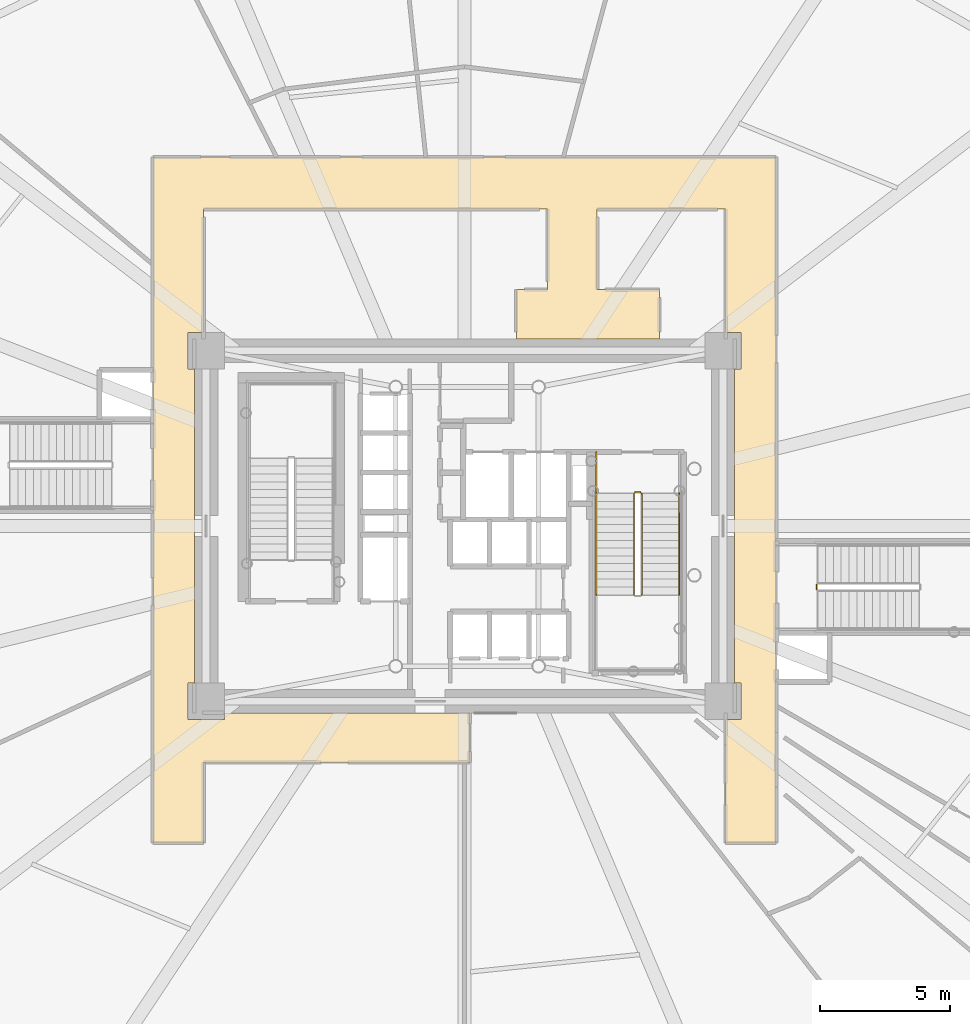
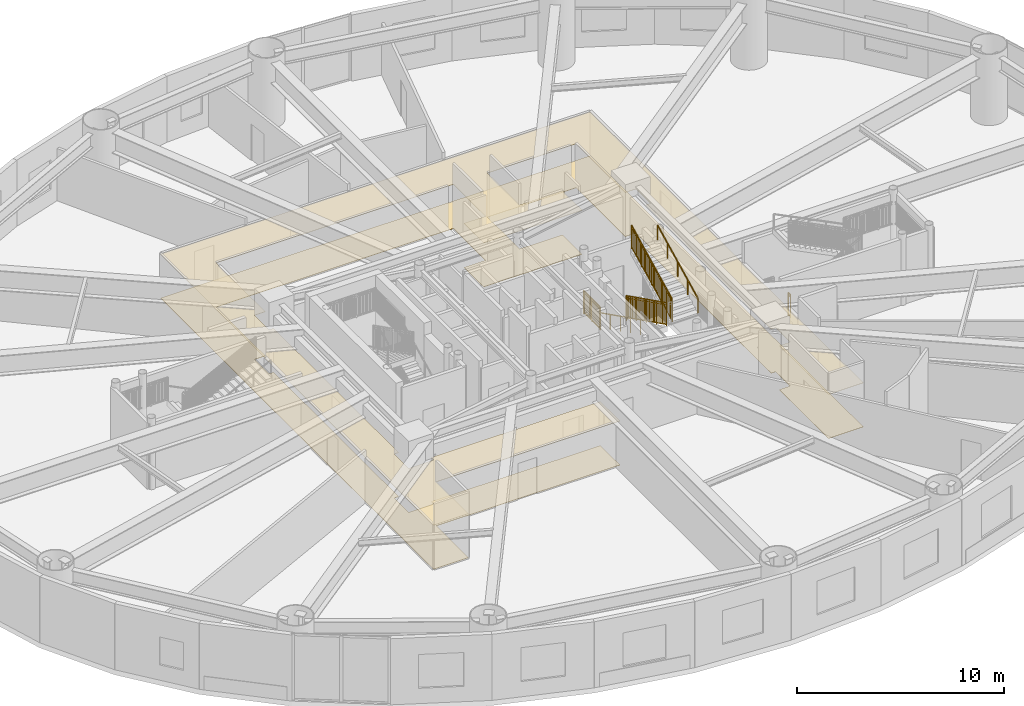
# One storey, part 24 of 27: 7 railings, 2 coverings.
"""IFC4 building model written with IfcOpenShell, lengths in metres."""

from ifc_helpers import new_model, si_unit, direction, frame, origin, origin_2d, place, context, subcontext, project, spatial, polyline, rectangle, outline, extrude, source, transform, mapped, material, layer, layer_set, type_object, element, save


model = new_model("IFC4")

# Units and contexts
model_context = context("Model", 3, precision=1e-05, world=origin(), true_north=direction((0.0, 1.0)))
body_context = subcontext(model_context, "Body", "Model", "MODEL_VIEW")
ifc_project = project(units=[si_unit("LENGTHUNIT", "METRE"), si_unit("AREAUNIT", "SQUARE_METRE"), si_unit("VOLUMEUNIT", "CUBIC_METRE"), si_unit("PLANEANGLEUNIT", "RADIAN"), si_unit("MASSUNIT", "GRAM", prefix="KILO")], contexts=[model_context])

# Site, building, storey
site_placement = place(None, origin())
site = spatial("IfcSite", under=ifc_project, at=site_placement, CompositionType="ELEMENT")
building_placement = place(site_placement, origin())
building = spatial("IfcBuilding", under=site, at=building_placement, Name="Linh Dai School and Residence Tower", CompositionType="ELEMENT")
storey_placement = place(building_placement, frame((0.0, 0.0, 22.800048828125)))
storey = spatial("IfcBuildingStorey", under=building, at=storey_placement, Name="L05", CompositionType="ELEMENT", Elevation=22.800048828125)

# Coverings
ifc_material_1 = material(Name="Mineral Fibre Acoustic Suspended Ceiling", Category="masonry")
ifc_layer_1 = layer(ifc_material_1, 0.02001953125)
ifc_layer_set_1 = layer_set([ifc_layer_1], Name="Mineral Fibre Acoustic Suspended Ceiling")
covering_type_1 = type_object("IfcCoveringType", Name="COV-CEIL-AC-20", PredefinedType="CEILING", material=ifc_layer_set_1)
covering_1_placement = place(storey_placement, frame((0.0, 0.0, 2.599853515625)))
element("IfcCovering", 1, at=covering_1_placement, inside=storey, type_object=covering_type_1, Name="L05 School Circulation Ring Corridor Suspended Ceiling", PredefinedType="CEILING", context=body_context, shape_type="SweptSolid", body=[
    extrude(outline(polyline([(24.0, 41.199951171875), (48.0, 41.199951171875), (48.0, 14.800048828125), (46.050048828125, 14.800048828125), (46.050048828125, 19.550048828125), (46.64990234375, 19.550048828125), (46.64990234375, 20.949951171875), (46.39990234375, 20.949951171875), (46.39990234375, 33.050048828125), (46.64990234375, 33.050048828125), (46.64990234375, 34.449951171875), (46.050048828125, 34.449951171875), (46.050048828125, 39.199951171875), (41.10009765625, 39.199951171875), (41.10009765625, 36.10009765625), (43.5, 36.10009765625), (43.5, 34.199951171875), (38.0, 34.199951171875), (38.0, 36.10009765625), (39.199951171875, 36.10009765625), (39.199951171875, 39.199951171875), (25.949951171875, 39.199951171875), (25.949951171875, 34.449951171875), (25.35009765625, 34.449951171875), (25.35009765625, 33.050048828125), (25.60009765625, 33.050048828125), (25.60009765625, 20.949951171875), (25.35009765625, 20.949951171875), (25.35009765625, 19.550048828125), (26.75, 19.550048828125), (26.75, 19.800048828125), (36.199951171875, 19.800048828125), (36.199951171875, 17.89990234375), (25.949951171875, 17.89990234375), (25.949951171875, 14.800048828125), (24.0, 14.800048828125), (24.0, 41.199951171875)])), origin(), (0.0, 0.0, 1.0), 0.02001953125),
])
ifc_material_2 = material(Name="Polished Terrazzo Floor Finish", Category="masonry")
ifc_layer_2 = layer(ifc_material_2, 0.02490234375)
ifc_layer_set_2 = layer_set([ifc_layer_2], Name="Polished Terrazzo Floor Finish")
covering_type_2 = type_object("IfcCoveringType", Name="COV-FLR-TRZ-25", PredefinedType="FLOORING", material=ifc_layer_set_2)
covering_2_placement = place(storey_placement, origin())
element("IfcCovering", 2, at=covering_2_placement, inside=storey, type_object=covering_type_2, Name="L05 School Circulation Ring Corridor Floor Finish", PredefinedType="FLOORING", context=body_context, shape_type="SweptSolid", body=[
    extrude(outline(polyline([(24.0, 41.199951171875), (48.0, 41.199951171875), (48.0, 14.800048828125), (46.050048828125, 14.800048828125), (46.050048828125, 19.550048828125), (46.64990234375, 19.550048828125), (46.64990234375, 20.949951171875), (46.39990234375, 20.949951171875), (46.39990234375, 33.050048828125), (46.64990234375, 33.050048828125), (46.64990234375, 34.449951171875), (46.050048828125, 34.449951171875), (46.050048828125, 39.199951171875), (41.10009765625, 39.199951171875), (41.10009765625, 36.10009765625), (43.5, 36.10009765625), (43.5, 34.199951171875), (38.0, 34.199951171875), (38.0, 36.10009765625), (39.199951171875, 36.10009765625), (39.199951171875, 39.199951171875), (25.949951171875, 39.199951171875), (25.949951171875, 34.449951171875), (25.35009765625, 34.449951171875), (25.35009765625, 33.050048828125), (25.60009765625, 33.050048828125), (25.60009765625, 20.949951171875), (25.35009765625, 20.949951171875), (25.35009765625, 19.550048828125), (26.75, 19.550048828125), (26.75, 19.800048828125), (36.199951171875, 19.800048828125), (36.199951171875, 17.89990234375), (25.949951171875, 17.89990234375), (25.949951171875, 14.800048828125), (24.0, 14.800048828125), (24.0, 41.199951171875)])), origin(), (0.0, 0.0, 1.0), 0.02001953125),
])

# Railings
ifc_material_3 = material(Name="Structural Steel S355JR", Category="steel")
railing_type_1 = type_object("IfcRailingType", Name="RL-ST-GUARD-1400", PredefinedType="GUARDRAIL", material=ifc_material_3)
shared_shape_1 = source(origin(), body_context, "Body", "SweptSolid", [
    extrude(rectangle(XDim=0.048095703125, YDim=0.048095703125, at=origin_2d()), frame((0.0, 0.0, 1.3759765625), z_axis=(1.0, 0.0, 0.0), x_axis=(0.0, 1.0, 0.0)), (0.0, 0.0, 1.0), 0.199951171875),
    extrude(rectangle(XDim=0.048095703125, YDim=0.048095703125, at=origin_2d()), frame((0.0, 0.0, 0.10009765625), z_axis=(1.0, 0.0, 0.0), x_axis=(0.0, 1.0, 0.0)), (0.0, 0.0, 1.0), 0.199951171875),
    extrude(rectangle(XDim=0.030029296875, YDim=0.030029296875, at=origin_2d()), frame((0.0, 0.0, 1.239990234375), z_axis=(1.0, 0.0, 0.0), x_axis=(0.0, 1.0, 0.0)), (0.0, 0.0, 1.0), 0.199951171875),
    extrude(rectangle(XDim=0.0419921875, YDim=0.0419921875, at=origin_2d()), origin(), (0.0, 0.0, 1.0), 1.3759765625),
    extrude(rectangle(XDim=0.0419921875, YDim=0.0419921875, at=origin_2d()), frame((0.199951171875, 0.0, 0.0)), (0.0, 0.0, 1.0), 1.3759765625),
])
railing_1_placement = place(storey_placement, frame((42.570068359375, 28.300048828125, 0.0)))
element("IfcRailing", 3, at=railing_1_placement, inside=storey, type_object=railing_type_1, Name="L05 ST2 stair guard 7", PredefinedType="GUARDRAIL", context=body_context, shape_type="MappedRepresentation", body=[
    mapped(shared_shape_1, transform((0.0, 0.0, 0.0), x_axis=(1.0, 0.0, 0.0), y_axis=(0.0, 1.0, 0.0), z_axis=(0.0, 0.0, 1.0), scale=1.0)),
])
shared_shape_2 = source(origin(), body_context, "Body", "SweptSolid", [
    extrude(rectangle(XDim=0.048095703125, YDim=0.048095703125, at=origin_2d()), frame((0.0, 0.0, 1.3759765625), z_axis=(0.0, -1.0, 0.0), x_axis=(1.0, 0.0, 0.0)), (0.0, 0.0, 1.0), 1.60009765625),
    extrude(rectangle(XDim=0.048095703125, YDim=0.048095703125, at=origin_2d()), frame((0.0, 0.0, 0.10009765625), z_axis=(0.0, -1.0, 0.0), x_axis=(1.0, 0.0, 0.0)), (0.0, 0.0, 1.0), 1.60009765625),
    extrude(rectangle(XDim=0.030029296875, YDim=0.030029296875, at=origin_2d()), frame((0.0, 0.0, 1.239990234375), z_axis=(0.0, -1.0, 0.0), x_axis=(1.0, 0.0, 0.0)), (0.0, 0.0, 1.0), 1.60009765625),
    extrude(rectangle(XDim=0.02001953125, YDim=0.02001953125, at=origin_2d()), frame((0.0, -0.09423828125, 0.10009765625)), (0.0, 0.0, 1.0), 1.251708984375),
    extrude(rectangle(XDim=0.02001953125, YDim=0.02001953125, at=origin_2d()), frame((0.0, -0.188232421875, 0.10009765625)), (0.0, 0.0, 1.0), 1.251708984375),
    extrude(rectangle(XDim=0.02001953125, YDim=0.02001953125, at=origin_2d()), frame((0.0, -0.282470703125, 0.10009765625)), (0.0, 0.0, 1.0), 1.251708984375),
    extrude(rectangle(XDim=0.02001953125, YDim=0.02001953125, at=origin_2d()), frame((0.0, -0.37646484375, 0.10009765625)), (0.0, 0.0, 1.0), 1.251708984375),
    extrude(rectangle(XDim=0.02001953125, YDim=0.02001953125, at=origin_2d()), frame((0.0, -0.470703125, 0.10009765625)), (0.0, 0.0, 1.0), 1.251708984375),
    extrude(rectangle(XDim=0.02001953125, YDim=0.02001953125, at=origin_2d()), frame((0.0, -0.564697265625, 0.10009765625)), (0.0, 0.0, 1.0), 1.251708984375),
    extrude(rectangle(XDim=0.02001953125, YDim=0.02001953125, at=origin_2d()), frame((0.0, -0.658935546875, 0.10009765625)), (0.0, 0.0, 1.0), 1.251708984375),
    extrude(rectangle(XDim=0.02001953125, YDim=0.02001953125, at=origin_2d()), frame((0.0, -0.7529296875, 0.10009765625)), (0.0, 0.0, 1.0), 1.251708984375),
    extrude(rectangle(XDim=0.02001953125, YDim=0.02001953125, at=origin_2d()), frame((0.0, -0.84716796875, 0.10009765625)), (0.0, 0.0, 1.0), 1.251708984375),
    extrude(rectangle(XDim=0.02001953125, YDim=0.02001953125, at=origin_2d()), frame((0.0, -0.941162109375, 0.10009765625)), (0.0, 0.0, 1.0), 1.251708984375),
    extrude(rectangle(XDim=0.02001953125, YDim=0.02001953125, at=origin_2d()), frame((0.0, -1.035400390625, 0.10009765625)), (0.0, 0.0, 1.0), 1.251708984375),
    extrude(rectangle(XDim=0.02001953125, YDim=0.02001953125, at=origin_2d()), frame((0.0, -1.12939453125, 0.10009765625)), (0.0, 0.0, 1.0), 1.251708984375),
    extrude(rectangle(XDim=0.02001953125, YDim=0.02001953125, at=origin_2d()), frame((0.0, -1.2236328125, 0.10009765625)), (0.0, 0.0, 1.0), 1.251708984375),
    extrude(rectangle(XDim=0.02001953125, YDim=0.02001953125, at=origin_2d()), frame((0.0, -1.317626953125, 0.10009765625)), (0.0, 0.0, 1.0), 1.251708984375),
    extrude(rectangle(XDim=0.02001953125, YDim=0.02001953125, at=origin_2d()), frame((0.0, -1.411865234375, 0.10009765625)), (0.0, 0.0, 1.0), 1.251708984375),
    extrude(rectangle(XDim=0.02001953125, YDim=0.02001953125, at=origin_2d()), frame((0.0, -1.505859375, 0.10009765625)), (0.0, 0.0, 1.0), 1.251708984375),
    extrude(rectangle(XDim=0.0419921875, YDim=0.0419921875, at=origin_2d()), origin(), (0.0, 0.0, 1.0), 1.3759765625),
    extrude(rectangle(XDim=0.0419921875, YDim=0.0419921875, at=origin_2d()), frame((0.0, -0.800048828125, 0.0)), (0.0, 0.0, 1.0), 1.3759765625),
    extrude(rectangle(XDim=0.0419921875, YDim=0.0419921875, at=origin_2d()), frame((0.0, -1.60009765625, 0.0)), (0.0, 0.0, 1.0), 1.3759765625),
])
railing_2_placement = place(storey_placement, frame((41.070068359375, 29.85009765625, 0.0)))
element("IfcRailing", 4, at=railing_2_placement, inside=storey, type_object=railing_type_1, Name="L05 ST2 stair guard 8", PredefinedType="GUARDRAIL", context=body_context, shape_type="MappedRepresentation", body=[
    mapped(shared_shape_2, transform((0.0, 0.0, 0.0), x_axis=(1.0, 0.0, 0.0), y_axis=(0.0, 1.0, 0.0), z_axis=(0.0, 0.0, 1.0), scale=1.0)),
])
shared_shape_3 = source(origin(), body_context, "Body", "SweptSolid", [
    extrude(rectangle(XDim=0.048095703125, YDim=0.048095703125, at=origin_2d()), frame((0.0, 0.0, 1.3759765625), z_axis=(0.0, 0.894427191, 0.4472135955), x_axis=(-1.0, 0.0, 0.0)), (0.0, 0.0, 1.0), 4.360107421875),
    extrude(rectangle(XDim=0.048095703125, YDim=0.048095703125, at=origin_2d()), frame((0.0, 0.0, 0.10009765625), z_axis=(0.0, 0.894427191, 0.4472135955), x_axis=(-1.0, 0.0, 0.0)), (0.0, 0.0, 1.0), 4.360107421875),
    extrude(rectangle(XDim=0.030029296875, YDim=0.030029296875, at=origin_2d()), frame((0.0, 0.0, 1.239990234375), z_axis=(0.0, 0.894427191, 0.4472135955), x_axis=(-1.0, 0.0, 0.0)), (0.0, 0.0, 1.0), 4.360107421875),
    extrude(rectangle(XDim=0.02001953125, YDim=0.02001953125, at=origin_2d()), frame((0.0, 0.086669921875, 0.143310546875)), (0.0, 0.0, 1.0), 1.251708984375),
    extrude(rectangle(XDim=0.02001953125, YDim=0.02001953125, at=origin_2d()), frame((0.0, 0.17333984375, 0.186767578125)), (0.0, 0.0, 1.0), 1.251708984375),
    extrude(rectangle(XDim=0.02001953125, YDim=0.02001953125, at=origin_2d()), frame((0.0, 0.260009765625, 0.22998046875)), (0.0, 0.0, 1.0), 1.251708984375),
    extrude(rectangle(XDim=0.02001953125, YDim=0.02001953125, at=origin_2d()), frame((0.0, 0.3466796875, 0.2734375)), (0.0, 0.0, 1.0), 1.251708984375),
    extrude(rectangle(XDim=0.02001953125, YDim=0.02001953125, at=origin_2d()), frame((0.0, 0.433349609375, 0.316650390625)), (0.0, 0.0, 1.0), 1.251708984375),
    extrude(rectangle(XDim=0.02001953125, YDim=0.02001953125, at=origin_2d()), frame((0.0, 0.52001953125, 0.360107421875)), (0.0, 0.0, 1.0), 1.251708984375),
    extrude(rectangle(XDim=0.02001953125, YDim=0.02001953125, at=origin_2d()), frame((0.0, 0.606689453125, 0.4033203125)), (0.0, 0.0, 1.0), 1.251708984375),
    extrude(rectangle(XDim=0.02001953125, YDim=0.02001953125, at=origin_2d()), frame((0.0, 0.693359375, 0.44677734375)), (0.0, 0.0, 1.0), 1.251708984375),
    extrude(rectangle(XDim=0.02001953125, YDim=0.02001953125, at=origin_2d()), frame((0.0, 0.780029296875, 0.489990234375)), (0.0, 0.0, 1.0), 1.251708984375),
    extrude(rectangle(XDim=0.02001953125, YDim=0.02001953125, at=origin_2d()), frame((0.0, 0.86669921875, 0.533447265625)), (0.0, 0.0, 1.0), 1.251708984375),
    extrude(rectangle(XDim=0.02001953125, YDim=0.02001953125, at=origin_2d()), frame((0.0, 1.0400390625, 0.6201171875)), (0.0, 0.0, 1.0), 1.251708984375),
    extrude(rectangle(XDim=0.02001953125, YDim=0.02001953125, at=origin_2d()), frame((0.0, 1.126708984375, 0.663330078125)), (0.0, 0.0, 1.0), 1.251708984375),
    extrude(rectangle(XDim=0.02001953125, YDim=0.02001953125, at=origin_2d()), frame((0.0, 1.21337890625, 0.706787109375)), (0.0, 0.0, 1.0), 1.251708984375),
    extrude(rectangle(XDim=0.02001953125, YDim=0.02001953125, at=origin_2d()), frame((0.0, 1.300048828125, 0.75)), (0.0, 0.0, 1.0), 1.251708984375),
    extrude(rectangle(XDim=0.02001953125, YDim=0.02001953125, at=origin_2d()), frame((0.0, 1.38671875, 0.79345703125)), (0.0, 0.0, 1.0), 1.251708984375),
    extrude(rectangle(XDim=0.02001953125, YDim=0.02001953125, at=origin_2d()), frame((0.0, 1.473388671875, 0.836669921875)), (0.0, 0.0, 1.0), 1.251708984375),
    extrude(rectangle(XDim=0.02001953125, YDim=0.02001953125, at=origin_2d()), frame((0.0, 1.56005859375, 0.880126953125)), (0.0, 0.0, 1.0), 1.251708984375),
    extrude(rectangle(XDim=0.02001953125, YDim=0.02001953125, at=origin_2d()), frame((0.0, 1.646728515625, 0.92333984375)), (0.0, 0.0, 1.0), 1.251708984375),
    extrude(rectangle(XDim=0.02001953125, YDim=0.02001953125, at=origin_2d()), frame((0.0, 1.7333984375, 0.966796875)), (0.0, 0.0, 1.0), 1.251708984375),
    extrude(rectangle(XDim=0.02001953125, YDim=0.02001953125, at=origin_2d()), frame((0.0, 1.820068359375, 1.010009765625)), (0.0, 0.0, 1.0), 1.251708984375),
    extrude(rectangle(XDim=0.02001953125, YDim=0.02001953125, at=origin_2d()), frame((0.0, 1.90673828125, 1.053466796875)), (0.0, 0.0, 1.0), 1.251708984375),
    extrude(rectangle(XDim=0.02001953125, YDim=0.02001953125, at=origin_2d()), frame((0.0, 1.9931640625, 1.0966796875)), (0.0, 0.0, 1.0), 1.251708984375),
    extrude(rectangle(XDim=0.02001953125, YDim=0.02001953125, at=origin_2d()), frame((0.0, 2.079833984375, 1.14013671875)), (0.0, 0.0, 1.0), 1.251708984375),
    extrude(rectangle(XDim=0.02001953125, YDim=0.02001953125, at=origin_2d()), frame((0.0, 2.16650390625, 1.183349609375)), (0.0, 0.0, 1.0), 1.251708984375),
    extrude(rectangle(XDim=0.02001953125, YDim=0.02001953125, at=origin_2d()), frame((0.0, 2.253173828125, 1.226806640625)), (0.0, 0.0, 1.0), 1.251708984375),
    extrude(rectangle(XDim=0.02001953125, YDim=0.02001953125, at=origin_2d()), frame((0.0, 2.33984375, 1.27001953125)), (0.0, 0.0, 1.0), 1.251708984375),
    extrude(rectangle(XDim=0.02001953125, YDim=0.02001953125, at=origin_2d()), frame((0.0, 2.426513671875, 1.3134765625)), (0.0, 0.0, 1.0), 1.251708984375),
    extrude(rectangle(XDim=0.02001953125, YDim=0.02001953125, at=origin_2d()), frame((0.0, 2.51318359375, 1.356689453125)), (0.0, 0.0, 1.0), 1.251708984375),
    extrude(rectangle(XDim=0.02001953125, YDim=0.02001953125, at=origin_2d()), frame((0.0, 2.599853515625, 1.400146484375)), (0.0, 0.0, 1.0), 1.251708984375),
    extrude(rectangle(XDim=0.02001953125, YDim=0.02001953125, at=origin_2d()), frame((0.0, 2.6865234375, 1.443359375)), (0.0, 0.0, 1.0), 1.251708984375),
    extrude(rectangle(XDim=0.02001953125, YDim=0.02001953125, at=origin_2d()), frame((0.0, 2.773193359375, 1.48681640625)), (0.0, 0.0, 1.0), 1.251708984375),
    extrude(rectangle(XDim=0.02001953125, YDim=0.02001953125, at=origin_2d()), frame((0.0, 2.85986328125, 1.530029296875)), (0.0, 0.0, 1.0), 1.251708984375),
    extrude(rectangle(XDim=0.02001953125, YDim=0.02001953125, at=origin_2d()), frame((0.0, 3.033203125, 1.61669921875)), (0.0, 0.0, 1.0), 1.251708984375),
    extrude(rectangle(XDim=0.02001953125, YDim=0.02001953125, at=origin_2d()), frame((0.0, 3.119873046875, 1.66015625)), (0.0, 0.0, 1.0), 1.251708984375),
    extrude(rectangle(XDim=0.02001953125, YDim=0.02001953125, at=origin_2d()), frame((0.0, 3.20654296875, 1.703369140625)), (0.0, 0.0, 1.0), 1.251708984375),
    extrude(rectangle(XDim=0.02001953125, YDim=0.02001953125, at=origin_2d()), frame((0.0, 3.293212890625, 1.746826171875)), (0.0, 0.0, 1.0), 1.251708984375),
    extrude(rectangle(XDim=0.02001953125, YDim=0.02001953125, at=origin_2d()), frame((0.0, 3.3798828125, 1.7900390625)), (0.0, 0.0, 1.0), 1.251708984375),
    extrude(rectangle(XDim=0.02001953125, YDim=0.02001953125, at=origin_2d()), frame((0.0, 3.466552734375, 1.83349609375)), (0.0, 0.0, 1.0), 1.251708984375),
    extrude(rectangle(XDim=0.02001953125, YDim=0.02001953125, at=origin_2d()), frame((0.0, 3.55322265625, 1.876708984375)), (0.0, 0.0, 1.0), 1.251708984375),
    extrude(rectangle(XDim=0.02001953125, YDim=0.02001953125, at=origin_2d()), frame((0.0, 3.639892578125, 1.920166015625)), (0.0, 0.0, 1.0), 1.251708984375),
    extrude(rectangle(XDim=0.02001953125, YDim=0.02001953125, at=origin_2d()), frame((0.0, 3.7265625, 1.96337890625)), (0.0, 0.0, 1.0), 1.251708984375),
    extrude(rectangle(XDim=0.02001953125, YDim=0.02001953125, at=origin_2d()), frame((0.0, 3.813232421875, 2.0068359375)), (0.0, 0.0, 1.0), 1.251708984375),
    extrude(rectangle(XDim=0.0419921875, YDim=0.0419921875, at=origin_2d()), origin(), (0.0, 0.0, 1.0), 1.3759765625),
    extrude(rectangle(XDim=0.0419921875, YDim=0.0419921875, at=origin_2d()), frame((0.0, 0.97509765625, 0.487548828125)), (0.0, 0.0, 1.0), 1.3759765625),
    extrude(rectangle(XDim=0.0419921875, YDim=0.0419921875, at=origin_2d()), frame((0.0, 1.949951171875, 0.97509765625)), (0.0, 0.0, 1.0), 1.3759765625),
    extrude(rectangle(XDim=0.0419921875, YDim=0.0419921875, at=origin_2d()), frame((0.0, 2.9248046875, 1.46240234375)), (0.0, 0.0, 1.0), 1.3759765625),
    extrude(rectangle(XDim=0.0419921875, YDim=0.0419921875, at=origin_2d()), frame((0.0, 3.89990234375, 1.949951171875)), (0.0, 0.0, 1.0), 1.3759765625),
])
railing_3_placement = place(storey_placement, frame((42.820068359375, 24.35009765625, 2.25)))
element("IfcRailing", 5, at=railing_3_placement, inside=storey, type_object=railing_type_1, Name="L05 ST2 stair guard 6", PredefinedType="GUARDRAIL", context=body_context, shape_type="MappedRepresentation", body=[
    mapped(shared_shape_3, transform((0.0, 0.0, 0.0), x_axis=(1.0, 0.0, 0.0), y_axis=(0.0, 1.0, 0.0), z_axis=(0.0, 0.0, 1.0), scale=1.0)),
])
ifc_material_4 = material(Name="Brushed Stainless Steel Handrail", Category="steel")
railing_type_2 = type_object("IfcRailingType", Name="RL-ST-HANDRAIL-900", PredefinedType="HANDRAIL", material=ifc_material_4)
shared_shape_4 = source(origin(), body_context, "Body", "SweptSolid", [
    extrude(rectangle(XDim=0.048095703125, YDim=0.048095703125, at=origin_2d()), frame((0.0, 0.0, 0.8759765625), z_axis=(0.0, 0.894427191, 0.4472135955), x_axis=(-1.0, 0.0, 0.0)), (0.0, 0.0, 1.0), 4.360107421875),
    extrude(rectangle(XDim=0.0419921875, YDim=0.0419921875, at=origin_2d()), origin(), (0.0, 0.0, 1.0), 0.8759765625),
    extrude(rectangle(XDim=0.0419921875, YDim=0.0419921875, at=origin_2d()), frame((0.0, 0.97509765625, 0.487548828125)), (0.0, 0.0, 1.0), 0.8759765625),
    extrude(rectangle(XDim=0.0419921875, YDim=0.0419921875, at=origin_2d()), frame((0.0, 1.949951171875, 0.97509765625)), (0.0, 0.0, 1.0), 0.8759765625),
    extrude(rectangle(XDim=0.0419921875, YDim=0.0419921875, at=origin_2d()), frame((0.0, 2.9248046875, 1.46240234375)), (0.0, 0.0, 1.0), 0.8759765625),
    extrude(rectangle(XDim=0.0419921875, YDim=0.0419921875, at=origin_2d()), frame((0.0, 3.89990234375, 1.949951171875)), (0.0, 0.0, 1.0), 0.8759765625),
])
railing_4_placement = place(storey_placement, frame((44.27001953125, 24.35009765625, 2.25)))
element("IfcRailing", 6, at=railing_4_placement, inside=storey, type_object=railing_type_2, Name="L05 ST2 stair handrail 2", PredefinedType="HANDRAIL", context=body_context, shape_type="MappedRepresentation", body=[
    mapped(shared_shape_4, transform((0.0, 0.0, 0.0), x_axis=(1.0, 0.0, 0.0), y_axis=(0.0, 1.0, 0.0), z_axis=(0.0, 0.0, 1.0), scale=1.0)),
])
shared_shape_5 = source(origin(), body_context, "Body", "SweptSolid", [
    extrude(rectangle(XDim=0.048095703125, YDim=0.048095703125, at=origin_2d()), frame((0.0, 0.0, 1.3759765625), z_axis=(0.0, -0.894427191, 0.4472135955), x_axis=(1.0, 0.0, 0.0)), (0.0, 0.0, 1.0), 4.360107421875),
    extrude(rectangle(XDim=0.048095703125, YDim=0.048095703125, at=origin_2d()), frame((0.0, 0.0, 0.10009765625), z_axis=(0.0, -0.894427191, 0.4472135955), x_axis=(1.0, 0.0, 0.0)), (0.0, 0.0, 1.0), 4.360107421875),
    extrude(rectangle(XDim=0.030029296875, YDim=0.030029296875, at=origin_2d()), frame((0.0, 0.0, 1.239990234375), z_axis=(0.0, -0.894427191, 0.4472135955), x_axis=(1.0, 0.0, 0.0)), (0.0, 0.0, 1.0), 4.360107421875),
    extrude(rectangle(XDim=0.02001953125, YDim=0.02001953125, at=origin_2d()), frame((0.0, -0.086669921875, 0.143310546875)), (0.0, 0.0, 1.0), 1.251708984375),
    extrude(rectangle(XDim=0.02001953125, YDim=0.02001953125, at=origin_2d()), frame((0.0, -0.17333984375, 0.186767578125)), (0.0, 0.0, 1.0), 1.251708984375),
    extrude(rectangle(XDim=0.02001953125, YDim=0.02001953125, at=origin_2d()), frame((0.0, -0.260009765625, 0.22998046875)), (0.0, 0.0, 1.0), 1.251708984375),
    extrude(rectangle(XDim=0.02001953125, YDim=0.02001953125, at=origin_2d()), frame((0.0, -0.3466796875, 0.2734375)), (0.0, 0.0, 1.0), 1.251708984375),
    extrude(rectangle(XDim=0.02001953125, YDim=0.02001953125, at=origin_2d()), frame((0.0, -0.433349609375, 0.316650390625)), (0.0, 0.0, 1.0), 1.251708984375),
    extrude(rectangle(XDim=0.02001953125, YDim=0.02001953125, at=origin_2d()), frame((0.0, -0.52001953125, 0.360107421875)), (0.0, 0.0, 1.0), 1.251708984375),
    extrude(rectangle(XDim=0.02001953125, YDim=0.02001953125, at=origin_2d()), frame((0.0, -0.606689453125, 0.4033203125)), (0.0, 0.0, 1.0), 1.251708984375),
    extrude(rectangle(XDim=0.02001953125, YDim=0.02001953125, at=origin_2d()), frame((0.0, -0.693359375, 0.44677734375)), (0.0, 0.0, 1.0), 1.251708984375),
    extrude(rectangle(XDim=0.02001953125, YDim=0.02001953125, at=origin_2d()), frame((0.0, -0.780029296875, 0.489990234375)), (0.0, 0.0, 1.0), 1.251708984375),
    extrude(rectangle(XDim=0.02001953125, YDim=0.02001953125, at=origin_2d()), frame((0.0, -0.86669921875, 0.533447265625)), (0.0, 0.0, 1.0), 1.251708984375),
    extrude(rectangle(XDim=0.02001953125, YDim=0.02001953125, at=origin_2d()), frame((0.0, -1.0400390625, 0.6201171875)), (0.0, 0.0, 1.0), 1.251708984375),
    extrude(rectangle(XDim=0.02001953125, YDim=0.02001953125, at=origin_2d()), frame((0.0, -1.126708984375, 0.663330078125)), (0.0, 0.0, 1.0), 1.251708984375),
    extrude(rectangle(XDim=0.02001953125, YDim=0.02001953125, at=origin_2d()), frame((0.0, -1.21337890625, 0.706787109375)), (0.0, 0.0, 1.0), 1.251708984375),
    extrude(rectangle(XDim=0.02001953125, YDim=0.02001953125, at=origin_2d()), frame((0.0, -1.300048828125, 0.75)), (0.0, 0.0, 1.0), 1.251708984375),
    extrude(rectangle(XDim=0.02001953125, YDim=0.02001953125, at=origin_2d()), frame((0.0, -1.38671875, 0.79345703125)), (0.0, 0.0, 1.0), 1.251708984375),
    extrude(rectangle(XDim=0.02001953125, YDim=0.02001953125, at=origin_2d()), frame((0.0, -1.473388671875, 0.836669921875)), (0.0, 0.0, 1.0), 1.251708984375),
    extrude(rectangle(XDim=0.02001953125, YDim=0.02001953125, at=origin_2d()), frame((0.0, -1.56005859375, 0.880126953125)), (0.0, 0.0, 1.0), 1.251708984375),
    extrude(rectangle(XDim=0.02001953125, YDim=0.02001953125, at=origin_2d()), frame((0.0, -1.646728515625, 0.92333984375)), (0.0, 0.0, 1.0), 1.251708984375),
    extrude(rectangle(XDim=0.02001953125, YDim=0.02001953125, at=origin_2d()), frame((0.0, -1.7333984375, 0.966796875)), (0.0, 0.0, 1.0), 1.251708984375),
    extrude(rectangle(XDim=0.02001953125, YDim=0.02001953125, at=origin_2d()), frame((0.0, -1.820068359375, 1.010009765625)), (0.0, 0.0, 1.0), 1.251708984375),
    extrude(rectangle(XDim=0.02001953125, YDim=0.02001953125, at=origin_2d()), frame((0.0, -1.90673828125, 1.053466796875)), (0.0, 0.0, 1.0), 1.251708984375),
    extrude(rectangle(XDim=0.02001953125, YDim=0.02001953125, at=origin_2d()), frame((0.0, -1.9931640625, 1.0966796875)), (0.0, 0.0, 1.0), 1.251708984375),
    extrude(rectangle(XDim=0.02001953125, YDim=0.02001953125, at=origin_2d()), frame((0.0, -2.079833984375, 1.14013671875)), (0.0, 0.0, 1.0), 1.251708984375),
    extrude(rectangle(XDim=0.02001953125, YDim=0.02001953125, at=origin_2d()), frame((0.0, -2.16650390625, 1.183349609375)), (0.0, 0.0, 1.0), 1.251708984375),
    extrude(rectangle(XDim=0.02001953125, YDim=0.02001953125, at=origin_2d()), frame((0.0, -2.253173828125, 1.226806640625)), (0.0, 0.0, 1.0), 1.251708984375),
    extrude(rectangle(XDim=0.02001953125, YDim=0.02001953125, at=origin_2d()), frame((0.0, -2.33984375, 1.27001953125)), (0.0, 0.0, 1.0), 1.251708984375),
    extrude(rectangle(XDim=0.02001953125, YDim=0.02001953125, at=origin_2d()), frame((0.0, -2.426513671875, 1.3134765625)), (0.0, 0.0, 1.0), 1.251708984375),
    extrude(rectangle(XDim=0.02001953125, YDim=0.02001953125, at=origin_2d()), frame((0.0, -2.51318359375, 1.356689453125)), (0.0, 0.0, 1.0), 1.251708984375),
    extrude(rectangle(XDim=0.02001953125, YDim=0.02001953125, at=origin_2d()), frame((0.0, -2.599853515625, 1.400146484375)), (0.0, 0.0, 1.0), 1.251708984375),
    extrude(rectangle(XDim=0.02001953125, YDim=0.02001953125, at=origin_2d()), frame((0.0, -2.6865234375, 1.443359375)), (0.0, 0.0, 1.0), 1.251708984375),
    extrude(rectangle(XDim=0.02001953125, YDim=0.02001953125, at=origin_2d()), frame((0.0, -2.773193359375, 1.48681640625)), (0.0, 0.0, 1.0), 1.251708984375),
    extrude(rectangle(XDim=0.02001953125, YDim=0.02001953125, at=origin_2d()), frame((0.0, -2.85986328125, 1.530029296875)), (0.0, 0.0, 1.0), 1.251708984375),
    extrude(rectangle(XDim=0.02001953125, YDim=0.02001953125, at=origin_2d()), frame((0.0, -3.033203125, 1.61669921875)), (0.0, 0.0, 1.0), 1.251708984375),
    extrude(rectangle(XDim=0.02001953125, YDim=0.02001953125, at=origin_2d()), frame((0.0, -3.119873046875, 1.66015625)), (0.0, 0.0, 1.0), 1.251708984375),
    extrude(rectangle(XDim=0.02001953125, YDim=0.02001953125, at=origin_2d()), frame((0.0, -3.20654296875, 1.703369140625)), (0.0, 0.0, 1.0), 1.251708984375),
    extrude(rectangle(XDim=0.02001953125, YDim=0.02001953125, at=origin_2d()), frame((0.0, -3.293212890625, 1.746826171875)), (0.0, 0.0, 1.0), 1.251708984375),
    extrude(rectangle(XDim=0.02001953125, YDim=0.02001953125, at=origin_2d()), frame((0.0, -3.3798828125, 1.7900390625)), (0.0, 0.0, 1.0), 1.251708984375),
    extrude(rectangle(XDim=0.02001953125, YDim=0.02001953125, at=origin_2d()), frame((0.0, -3.466552734375, 1.83349609375)), (0.0, 0.0, 1.0), 1.251708984375),
    extrude(rectangle(XDim=0.02001953125, YDim=0.02001953125, at=origin_2d()), frame((0.0, -3.55322265625, 1.876708984375)), (0.0, 0.0, 1.0), 1.251708984375),
    extrude(rectangle(XDim=0.02001953125, YDim=0.02001953125, at=origin_2d()), frame((0.0, -3.639892578125, 1.920166015625)), (0.0, 0.0, 1.0), 1.251708984375),
    extrude(rectangle(XDim=0.02001953125, YDim=0.02001953125, at=origin_2d()), frame((0.0, -3.7265625, 1.96337890625)), (0.0, 0.0, 1.0), 1.251708984375),
    extrude(rectangle(XDim=0.02001953125, YDim=0.02001953125, at=origin_2d()), frame((0.0, -3.813232421875, 2.0068359375)), (0.0, 0.0, 1.0), 1.251708984375),
    extrude(rectangle(XDim=0.0419921875, YDim=0.0419921875, at=origin_2d()), origin(), (0.0, 0.0, 1.0), 1.3759765625),
    extrude(rectangle(XDim=0.0419921875, YDim=0.0419921875, at=origin_2d()), frame((0.0, -0.97509765625, 0.487548828125)), (0.0, 0.0, 1.0), 1.3759765625),
    extrude(rectangle(XDim=0.0419921875, YDim=0.0419921875, at=origin_2d()), frame((0.0, -1.949951171875, 0.97509765625)), (0.0, 0.0, 1.0), 1.3759765625),
    extrude(rectangle(XDim=0.0419921875, YDim=0.0419921875, at=origin_2d()), frame((0.0, -2.9248046875, 1.46240234375)), (0.0, 0.0, 1.0), 1.3759765625),
    extrude(rectangle(XDim=0.0419921875, YDim=0.0419921875, at=origin_2d()), frame((0.0, -3.89990234375, 1.949951171875)), (0.0, 0.0, 1.0), 1.3759765625),
])
railing_5_placement = place(storey_placement, frame((42.52001953125, 28.25, 0.14990234375)))
element("IfcRailing", 7, at=railing_5_placement, inside=storey, type_object=railing_type_1, Name="L05 ST2 stair guard 1", PredefinedType="GUARDRAIL", context=body_context, shape_type="MappedRepresentation", body=[
    mapped(shared_shape_5, transform((0.0, 0.0, 0.0), x_axis=(1.0, 0.0, 0.0), y_axis=(0.0, 1.0, 0.0), z_axis=(0.0, 0.0, 1.0), scale=1.0)),
])
shared_shape_6 = source(origin(), body_context, "Body", "SweptSolid", [
    extrude(rectangle(XDim=0.048095703125, YDim=0.048095703125, at=origin_2d()), frame((0.0, 0.0, 0.8759765625), z_axis=(0.0, -0.894427191, 0.4472135955), x_axis=(1.0, 0.0, 0.0)), (0.0, 0.0, 1.0), 4.360107421875),
    extrude(rectangle(XDim=0.0419921875, YDim=0.0419921875, at=origin_2d()), origin(), (0.0, 0.0, 1.0), 0.8759765625),
    extrude(rectangle(XDim=0.0419921875, YDim=0.0419921875, at=origin_2d()), frame((0.0, -0.97509765625, 0.487548828125)), (0.0, 0.0, 1.0), 0.8759765625),
    extrude(rectangle(XDim=0.0419921875, YDim=0.0419921875, at=origin_2d()), frame((0.0, -1.949951171875, 0.97509765625)), (0.0, 0.0, 1.0), 0.8759765625),
    extrude(rectangle(XDim=0.0419921875, YDim=0.0419921875, at=origin_2d()), frame((0.0, -2.9248046875, 1.46240234375)), (0.0, 0.0, 1.0), 0.8759765625),
    extrude(rectangle(XDim=0.0419921875, YDim=0.0419921875, at=origin_2d()), frame((0.0, -3.89990234375, 1.949951171875)), (0.0, 0.0, 1.0), 0.8759765625),
])
railing_6_placement = place(storey_placement, frame((41.070068359375, 28.25, 0.14990234375)))
element("IfcRailing", 8, at=railing_6_placement, inside=storey, type_object=railing_type_2, Name="L05 ST2 stair handrail 1", PredefinedType="HANDRAIL", context=body_context, shape_type="MappedRepresentation", body=[
    mapped(shared_shape_6, transform((0.0, 0.0, 0.0), x_axis=(1.0, 0.0, 0.0), y_axis=(0.0, 1.0, 0.0), z_axis=(0.0, 0.0, 1.0), scale=1.0)),
])
shared_shape_7 = source(origin(), body_context, "Body", "SweptSolid", [
    extrude(rectangle(XDim=0.048095703125, YDim=0.048095703125, at=origin_2d()), frame((0.0, 0.0, 1.3759765625), z_axis=(0.0, 1.0, 0.0), x_axis=(-1.0, 0.0, 0.0)), (0.0, 0.0, 1.0), 0.199951171875),
    extrude(rectangle(XDim=0.048095703125, YDim=0.048095703125, at=origin_2d()), frame((0.0, 0.0, 0.10009765625), z_axis=(0.0, 1.0, 0.0), x_axis=(-1.0, 0.0, 0.0)), (0.0, 0.0, 1.0), 0.199951171875),
    extrude(rectangle(XDim=0.030029296875, YDim=0.030029296875, at=origin_2d()), frame((0.0, 0.0, 1.239990234375), z_axis=(0.0, 1.0, 0.0), x_axis=(-1.0, 0.0, 0.0)), (0.0, 0.0, 1.0), 0.199951171875),
    extrude(rectangle(XDim=0.0419921875, YDim=0.0419921875, at=origin_2d()), origin(), (0.0, 0.0, 1.0), 1.3759765625),
    extrude(rectangle(XDim=0.0419921875, YDim=0.0419921875, at=origin_2d()), frame((0.0, 0.199951171875, 0.0)), (0.0, 0.0, 1.0), 1.3759765625),
])
railing_7_placement = place(storey_placement, frame((49.550048828125, 24.550048828125, 0.0)))
element("IfcRailing", 9, at=railing_7_placement, inside=storey, type_object=railing_type_1, Name="L05 STS2 stair guard 7", PredefinedType="GUARDRAIL", context=body_context, shape_type="MappedRepresentation", body=[
    mapped(shared_shape_7, transform((0.0, 0.0, 0.0), x_axis=(1.0, 0.0, 0.0), y_axis=(0.0, 1.0, 0.0), z_axis=(0.0, 0.0, 1.0), scale=1.0)),
])

save(model, "model.ifc")
